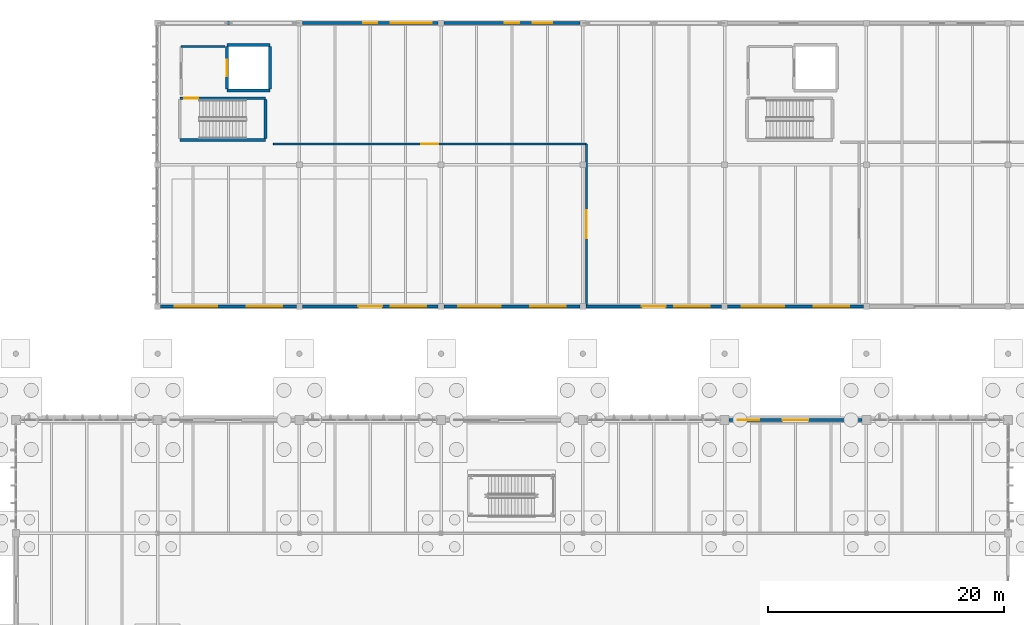
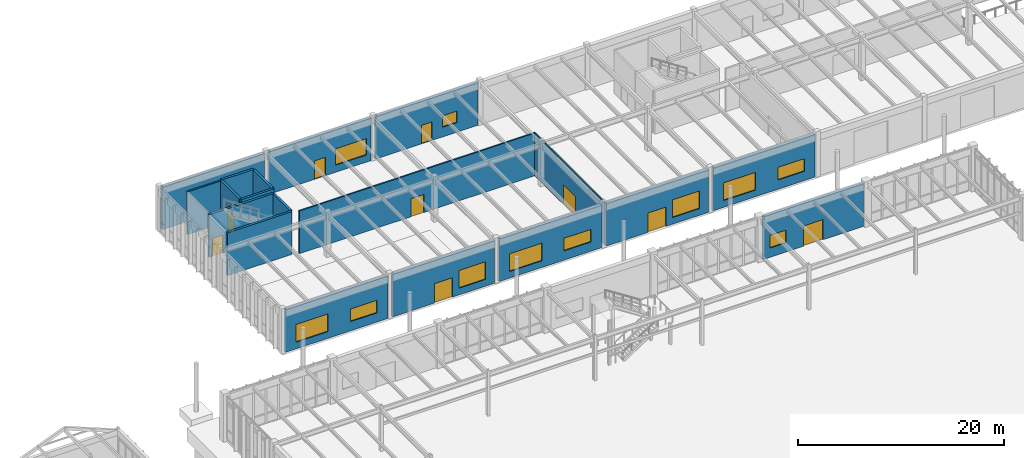
# One storey, part 165 of 188: 19 walls, 11 windows, 9 doors, 20 openings.
"""IFC4 building model written with IfcOpenShell, lengths in metres."""

import ifcopenshell
import ifcopenshell.guid

model = None  # the IFC model being written
_history = None  # IfcOwnerHistory: only IFC2X3 demands one
_inside = {}  # id of a spatial element -> (the spatial element, [elements in it])
_under = {}  # id of a project, library or spatial element -> (it, [spatial elements below it])
_declared = {}  # id of a project -> (the project, [libraries it declares])
_typed = {}  # id of a type object -> (the type object, [elements of that type])
_made_of = {}  # id of a material, layer set ... -> (it, [elements and type objects made of it])


def new_model(schema):
    """Start an empty IFC model of exactly this schema.

    Asked for "IFC4X3", IfcOpenShell would pick the latest addendum, in which some entities
    have other attributes; the version numbers below select the first issue.
    IFC2X3 requires an IfcOwnerHistory on every rooted entity: one is made here for all.
    """
    global model, _history
    if schema == "IFC4X3":
        model = ifcopenshell.file(schema_version=(4, 3, 0, 0))
    else:
        model = ifcopenshell.file(schema=schema)
    _inside.clear()
    _under.clear()
    _declared.clear()
    _typed.clear()
    _made_of.clear()
    _history = None
    if model.schema == "IFC2X3":
        org = make("IfcOrganization", Name="unknown")
        user = make(
            "IfcPersonAndOrganization",
            ThePerson=make("IfcPerson", FamilyName="unknown"),
            TheOrganization=org,
        )
        app = make(
            "IfcApplication",
            ApplicationDeveloper=org,
            Version="unknown",
            ApplicationFullName="unknown",
            ApplicationIdentifier="unknown",
        )
        _history = make(
            "IfcOwnerHistory",
            OwningUser=user,
            OwningApplication=app,
            ChangeAction="ADDED",
            CreationDate=0,
        )
    return model


def make(cls, **values):
    """One entity of the class cls with the attributes given. An attribute that is None is left unset."""
    return model.create_entity(
        cls, **{name: value for name, value in values.items() if value is not None}
    )


def rooted(cls, **values):
    """An entity with a GlobalId (a new one), such as an element, a storey or a relation."""
    return make(cls, GlobalId=ifcopenshell.guid.new(), OwnerHistory=_history, **values)


def si_unit(unit_type, name, prefix=None):
    """IfcSIUnit, for example si_unit("LENGTHUNIT", "METRE", prefix="MILLI")."""
    return make("IfcSIUnit", UnitType=unit_type, Prefix=prefix, Name=name)


def assignment(units):
    """IfcUnitAssignment: the units of a project."""
    return None if units is None else make("IfcUnitAssignment", Units=units)


def point(xyz):
    """IfcCartesianPoint."""
    return None if xyz is None else make("IfcCartesianPoint", Coordinates=xyz)


def direction(xyz):
    """IfcDirection."""
    return None if xyz is None else make("IfcDirection", DirectionRatios=xyz)


def frame(location, z_axis=None, x_axis=None):
    """IfcAxis2Placement3D, a coordinate frame: its origin and axes. An axis left out is left unset."""
    return make(
        "IfcAxis2Placement3D",
        Location=point(location),
        Axis=direction(z_axis),
        RefDirection=direction(x_axis),
    )


def frame_2d(location, x_axis=None):
    """IfcAxis2Placement2D, a coordinate frame in the plane: its origin and x axis."""
    return make(
        "IfcAxis2Placement2D", Location=point(location), RefDirection=direction(x_axis)
    )


def origin():
    """The frame at (0, 0, 0) with its axes left unset."""
    return frame((0.0, 0.0, 0.0))


def place(relative_to, where):
    """IfcLocalPlacement: puts the frame where relative to a parent placement (None: the world)."""
    return make(
        "IfcLocalPlacement", PlacementRelTo=relative_to, RelativePlacement=where
    )


def context(
    kind, dimensions, precision=None, world=None, true_north=None, identifier=None
):
    """IfcGeometricRepresentationContext, for example the 3D "Model" context."""
    return make(
        "IfcGeometricRepresentationContext",
        ContextIdentifier=identifier,
        ContextType=kind,
        CoordinateSpaceDimension=dimensions,
        Precision=precision,
        WorldCoordinateSystem=world,
        TrueNorth=true_north,
    )


def subcontext(parent, identifier, kind, view, scale=None):
    """IfcGeometricRepresentationSubContext, for example "Body" below "Model"."""
    return make(
        "IfcGeometricRepresentationSubContext",
        ContextIdentifier=identifier,
        ContextType=kind,
        ParentContext=parent,
        TargetScale=scale,
        TargetView=view,
    )


def project(units=None, contexts=None):
    """IfcProject with its units and contexts."""
    return rooted(
        "IfcProject",
        Name="project",
        RepresentationContexts=contexts,
        UnitsInContext=assignment(units),
    )


def spatial(cls, under=None, at=None, **own):
    """A site, building, storey or space (cls), placed at a placement, below another one or the project."""
    s = rooted(cls, ObjectPlacement=at, **own)
    if under is not None:
        _under.setdefault(under.id(), (under, []))[1].append(s)
    return s


def profile(cls, at=None, kind="AREA", **sizes):
    """A parametric profile (cls). Its sizes go by their IFC names, for example OverallWidth=200.0."""
    return make(cls, ProfileType=kind, Position=at, **sizes)


def rectangle(**sizes):
    """IfcRectangleProfileDef."""
    return profile("IfcRectangleProfileDef", **sizes)


def extrude(swept, where, along, depth):
    """IfcExtrudedAreaSolid: the profile swept, set in the frame where, extruded along a direction by depth."""
    return make(
        "IfcExtrudedAreaSolid",
        SweptArea=swept,
        Position=where,
        ExtrudedDirection=direction(along),
        Depth=depth,
    )


def shape(context_of_items, identifier, shape_type, items):
    """IfcShapeRepresentation: the items that make up one representation, for example the "Body"."""
    return make(
        "IfcShapeRepresentation",
        ContextOfItems=context_of_items,
        RepresentationIdentifier=identifier,
        RepresentationType=shape_type,
        Items=items,
    )


def material(Name=None, Category=None):
    """IfcMaterial."""
    return make("IfcMaterial", Name=Name, Category=Category)


def layer(
    of_material, thickness, ventilated=None, Name=None, Category=None, Priority=None
):
    """IfcMaterialLayer: one layer of a wall or slab, of a material (None: an air gap)."""
    return make(
        "IfcMaterialLayer",
        Material=of_material,
        LayerThickness=thickness,
        IsVentilated=ventilated,
        Name=Name,
        Category=Category,
        Priority=Priority,
    )


def layer_set(layers, Name=None):
    """IfcMaterialLayerSet."""
    return make("IfcMaterialLayerSet", MaterialLayers=layers, LayerSetName=Name)


def made_of(thing, what):
    """Note that an element or type object is made of a material, layer set ...; save() writes the relation."""
    if what is not None:
        _made_of.setdefault(what.id(), (what, []))[1].append(thing)
    return thing


def type_object(cls, material=None, **own):
    """A type object (cls), such as IfcWallType, which elements share."""
    return made_of(rooted(cls, **own), material)


def element(
    cls,
    number,
    at=None,
    inside=None,
    cuts=None,
    type_object=None,
    material=None,
    context=None,
    identifier="Body",
    shape_type=None,
    held_by="IfcProductDefinitionShape",
    body=None,
    shapes=None,
    **own,
):
    """One element of the class cls, such as IfcWall. Its Tag is "e" and its number.

    at: its placement. inside: the storey or other place that contains it. cuts: it is an
    opening in that element (IfcRelVoidsElement). A single representation is given by context,
    identifier, shape_type and body (its items); several are given by shapes. held_by: the class
    of the entity that holds the representations. save() writes the other relations.
    """
    e = rooted(cls, Tag="e%d" % number, ObjectPlacement=at, **own)
    if body is not None:
        shapes = [shape(context, identifier, shape_type, body)]
    if shapes is not None:
        e.Representation = make(held_by, Representations=shapes)
    if inside is not None:
        _inside.setdefault(inside.id(), (inside, []))[1].append(e)
    if cuts is not None:
        rooted(
            "IfcRelVoidsElement", RelatingBuildingElement=cuts, RelatedOpeningElement=e
        )
    if type_object is not None:
        _typed.setdefault(type_object.id(), (type_object, []))[1].append(e)
    return made_of(e, material)


def fill(opening, filler):
    """IfcRelFillsElement: the door or window that sits in an opening."""
    return rooted(
        "IfcRelFillsElement",
        RelatingOpeningElement=opening,
        RelatedBuildingElement=filler,
    )


def aggregate(whole, parts):
    """IfcRelAggregates: a whole, such as a stair, and the parts it consists of."""
    return rooted("IfcRelAggregates", RelatingObject=whole, RelatedObjects=parts)


def save(model, path):
    """Write the relations noted so far, then the file.

    IfcRelAggregates (storeys below a building ...), IfcRelContainedInSpatialStructure (elements
    in a storey), IfcRelDefinesByType, IfcRelAssociatesMaterial and IfcRelDeclares: one each for
    every whole, place, type object, material and project.
    """
    for whole, parts in _under.values():
        aggregate(whole, parts)
    for where, things in _inside.values():
        rooted(
            "IfcRelContainedInSpatialStructure",
            RelatedElements=things,
            RelatingStructure=where,
        )
    for kind, things in _typed.values():
        rooted("IfcRelDefinesByType", RelatedObjects=things, RelatingType=kind)
    for what, things in _made_of.values():
        rooted("IfcRelAssociatesMaterial", RelatedObjects=things, RelatingMaterial=what)
    for by, libraries in _declared.values():
        rooted("IfcRelDeclares", RelatingContext=by, RelatedDefinitions=libraries)
    model.write(path)


model = new_model("IFC4")

# Units and contexts
model_context = context("Model", 3, precision=1e-05, world=origin(), true_north=direction((0.0, 1.0)))
body_context = subcontext(model_context, "Body", "Model", "MODEL_VIEW")
ifc_project = project(units=[si_unit("LENGTHUNIT", "METRE"), si_unit("AREAUNIT", "SQUARE_METRE"), si_unit("VOLUMEUNIT", "CUBIC_METRE"), si_unit("PLANEANGLEUNIT", "RADIAN"), si_unit("MASSUNIT", "GRAM", prefix="KILO")], contexts=[model_context])

# Site, building, storey
site_placement = place(None, origin())
site = spatial("IfcSite", under=ifc_project, at=site_placement, CompositionType="ELEMENT")
building_placement = place(site_placement, origin())
building = spatial("IfcBuilding", under=site, at=building_placement, Name="Pandanus Reach Market Hall", CompositionType="ELEMENT")
storey_placement = place(building_placement, origin())
storey = spatial("IfcBuildingStorey", under=building, at=storey_placement, Name="L00", CompositionType="ELEMENT", Elevation=0.0)

# Wall
ifc_material_1 = material(Name="Concrete N40 (40 MPa)", Category="concrete")
ifc_layer_1 = layer(ifc_material_1, 0.25, Name="WL-CORE-250")
ifc_layer_set_1 = layer_set([ifc_layer_1], Name="Concrete N40 (40 MPa)")
wall_type_1 = type_object("IfcWallType", Name="WL-CORE-250", PredefinedType="SHEAR", material=ifc_layer_set_1)
wall_1_placement = place(storey_placement, frame((61.875, 110.074951171875, 0.0), z_axis=(0.0, 0.0, 1.0), x_axis=(1.0, 0.0, 0.0)))
element("IfcWall", 1, at=wall_1_placement, inside=storey, type_object=wall_type_1, Name="Internal wall WL-CORE-250 WL-0370", PredefinedType="SHEAR", context=body_context, shape_type="SweptSolid", body=[
    extrude(rectangle(XDim=7.27001953125, YDim=0.25, at=frame_2d((3.635009765625, 0.0))), origin(), (0.0, 0.0, 1.0), 5.080078125),
])

# Wall, opening, door
wall_2_placement = place(storey_placement, frame((61.875, 113.625, 0.0), z_axis=(0.0, 0.0, 1.0), x_axis=(1.0, 0.0, 0.0)))
wall_2 = element("IfcWall", 2, at=wall_2_placement, inside=storey, type_object=wall_type_1, Name="Internal wall WL-CORE-250 WL-0371", PredefinedType="SHEAR", context=body_context, shape_type="SweptSolid", body=[
    extrude(rectangle(XDim=7.27001953125, YDim=0.25, at=frame_2d((3.635009765625, 0.0))), origin(), (0.0, 0.0, 1.0), 5.080078125),
])
opening_1_placement = place(wall_2_placement, frame((0.39990234375, 0.0, 0.0)))
opening_1 = element("IfcOpeningElement", 3, at=opening_1_placement, cuts=wall_2, Name="Opening DR-FD1", PredefinedType="OPENING", context=body_context, shape_type="SweptSolid", body=[
    extrude(rectangle(XDim=1.14990234375, YDim=2.14990234375, at=frame_2d((0.574951171875, 1.074951171875))), frame((0.0, 0.139892578125, 0.0), z_axis=(0.0, -1.0, 0.0), x_axis=(1.0, 0.0, 0.0)), (0.0, 0.0, 1.0), 0.280029296875),
])
ifc_material_2 = material(Name="Fire-rated steel door", Category="steel")
door_type_1 = type_object("IfcDoorType", Name="DR-FD1", OperationType="NOTDEFINED", PredefinedType="DOOR", material=ifc_material_2)
door_1_placement = place(opening_1_placement, origin())
door_1 = element("IfcDoor", 4, at=door_1_placement, inside=storey, type_object=door_type_1, Name="Fire stair door ST-05 L00", OperationType="SINGLE_SWING_RIGHT", OverallHeight=2.14990234375, OverallWidth=1.14990234375, PredefinedType="DOOR", context=body_context, shape_type="SweptSolid", body=[
    extrude(rectangle(XDim=1.14990234375, YDim=2.14990234375, at=frame_2d((0.574951171875, 1.074951171875))), frame((0.0, 0.02490234375, 0.0), z_axis=(0.0, -1.0, 0.0), x_axis=(1.0, 0.0, 0.0)), (0.0, 0.0, 1.0), 0.050048828125),
])
fill(opening_1, door_1)

# Walls
wall_3_placement = place(storey_placement, frame((69.14501953125, 110.199951171875, 0.0), z_axis=(0.0, 0.0, 1.0), x_axis=(0.0, 1.0, 0.0)))
element("IfcWall", 5, at=wall_3_placement, inside=storey, type_object=wall_type_1, Name="Internal wall WL-CORE-250 WL-0373", PredefinedType="SHEAR", context=body_context, shape_type="SweptSolid", body=[
    extrude(rectangle(XDim=3.300048828125, YDim=0.25, at=frame_2d((1.64990234375, 0.0))), origin(), (0.0, 0.0, 1.0), 5.080078125),
])
for number, where, z_axis, x_axis, name in (
    (6, (65.875, 114.27490234375, 0.0), (0.0, 0.0, 1.0), (1.0, 0.0, 0.0), "Internal wall WL-CORE-250 WL-0374"),
    (7, (65.875, 118.125, 0.0), (0.0, 0.0, 1.0), (1.0, 0.0, 0.0), "Internal wall WL-CORE-250 WL-0375"),
):
    element("IfcWall", number, at=place(storey_placement, frame(where, z_axis=z_axis, x_axis=x_axis)), inside=storey, type_object=wall_type_1, Name=name, PredefinedType="SHEAR", context=body_context, shape_type="SweptSolid", body=[
        extrude(rectangle(XDim=3.64990234375, YDim=0.25, at=frame_2d((1.824951171875, 0.0))), origin(), (0.0, 0.0, 1.0), 5.080078125),
    ])
wall_4_placement = place(storey_placement, frame((69.52490234375, 114.39990234375, 0.0), z_axis=(0.0, 0.0, 1.0), x_axis=(0.0, 1.0, 0.0)))
element("IfcWall", 8, at=wall_4_placement, inside=storey, type_object=wall_type_1, Name="Internal wall WL-CORE-250 WL-0376", PredefinedType="SHEAR", context=body_context, shape_type="SweptSolid", body=[
    extrude(rectangle(XDim=3.60009765625, YDim=0.25, at=frame_2d((1.800048828125, 0.0))), origin(), (0.0, 0.0, 1.0), 5.080078125),
])

# Wall, opening, door
wall_5_placement = place(storey_placement, frame((65.875, 114.39990234375, 0.0), z_axis=(0.0, 0.0, 1.0), x_axis=(0.0, 1.0, 0.0)))
wall_5 = element("IfcWall", 9, at=wall_5_placement, inside=storey, type_object=wall_type_1, Name="Internal wall WL-CORE-250 WL-0377", PredefinedType="SHEAR", context=body_context, shape_type="SweptSolid", body=[
    extrude(rectangle(XDim=3.60009765625, YDim=0.25, at=frame_2d((1.800048828125, 0.0))), origin(), (0.0, 0.0, 1.0), 5.080078125),
])
opening_2_placement = place(wall_5_placement, frame((1.10009765625, 0.0, 0.0)))
opening_2 = element("IfcOpeningElement", 10, at=opening_2_placement, cuts=wall_5, Name="Opening LD-02", PredefinedType="OPENING", context=body_context, shape_type="SweptSolid", body=[
    extrude(rectangle(XDim=1.39990234375, YDim=2.199951171875, at=frame_2d((0.699951171875, 1.10009765625))), frame((0.0, 0.139892578125, 0.0), z_axis=(0.0, -1.0, 0.0), x_axis=(1.0, 0.0, 0.0)), (0.0, 0.0, 1.0), 0.280029296875),
])
ifc_material_3 = material(Name="Heavy goods lift landing door")
door_type_2 = type_object("IfcDoorType", Name="LD-02", OperationType="SLIDING_TO_RIGHT", PredefinedType="DOOR", material=ifc_material_3)
door_2_placement = place(opening_2_placement, origin())
door_2 = element("IfcDoor", 11, at=door_2_placement, inside=storey, type_object=door_type_2, Name="Lift landing door LF-05 LD-02 69", OperationType="SLIDING_TO_RIGHT", OverallHeight=2.199951171875, OverallWidth=1.39990234375, PredefinedType="DOOR", context=body_context, shape_type="SweptSolid", body=[
    extrude(rectangle(XDim=1.39990234375, YDim=2.199951171875, at=frame_2d((0.699951171875, 1.10009765625))), frame((0.0, 0.02490234375, 0.0), z_axis=(0.0, -1.0, 0.0), x_axis=(1.0, 0.0, 0.0)), (0.0, 0.0, 1.0), 0.050048828125),
])
fill(opening_2, door_2)

# Wall, openings, door, window
ifc_material_4 = material(Name="Precast concrete S50 (50 MPa)", Category="concrete")
ifc_layer_2 = layer(ifc_material_4, 0.260009765625, Name="WL-EXT-260")
ifc_layer_set_2 = layer_set([ifc_layer_2], Name="Precast concrete S50 (50 MPa)")
wall_type_2 = type_object("IfcWallType", Name="WL-EXT-260", PredefinedType="SOLIDWALL", material=ifc_layer_set_2)
wall_6_placement = place(storey_placement, frame((108.375, 86.39990234375, 0.0), z_axis=(0.0, 0.0, 1.0), x_axis=(1.0, 0.0, 0.0)))
wall_6 = element("IfcWall", 12, at=wall_6_placement, inside=storey, type_object=wall_type_2, Name="External wall WL-EXT-260 WL-0054", PredefinedType="SOLIDWALL", context=body_context, shape_type="SweptSolid", body=[
    extrude(rectangle(XDim=11.25, YDim=0.260009765625, at=frame_2d((5.625, 0.0))), origin(), (0.0, 0.0, 1.0), 5.10009765625),
])
opening_3_placement = place(wall_6_placement, frame((4.52490234375, 0.0, 0.0)))
opening_3 = element("IfcOpeningElement", 13, at=opening_3_placement, cuts=wall_6, Name="Opening ED-220", PredefinedType="OPENING", context=body_context, shape_type="SweptSolid", body=[
    extrude(rectangle(XDim=2.199951171875, YDim=2.39990234375, at=frame_2d((1.10009765625, 1.199951171875))), frame((0.0, 0.14501953125, 0.0), z_axis=(0.0, -1.0, 0.0), x_axis=(1.0, 0.0, 0.0)), (0.0, 0.0, 1.0), 0.2900390625),
])
opening_4_placement = place(wall_6_placement, frame((0.75, 0.0, 1.10009765625)))
opening_4 = element("IfcOpeningElement", 14, at=opening_4_placement, cuts=wall_6, Name="Opening WN-16", PredefinedType="OPENING", context=body_context, shape_type="SweptSolid", body=[
    extrude(rectangle(XDim=1.800048828125, YDim=1.5, at=frame_2d((0.89990234375, 0.75))), frame((0.0, 0.14501953125, 0.0), z_axis=(0.0, -1.0, 0.0), x_axis=(1.0, 0.0, 0.0)), (0.0, 0.0, 1.0), 0.2900390625),
])
ifc_material_5 = material(Name="Bronze anodised aluminium", Category="aluminium")
door_type_3 = type_object("IfcDoorType", Name="ED-220", OperationType="DOUBLE_DOOR_SINGLE_SWING", PredefinedType="DOOR", material=ifc_material_5)
door_3_placement = place(opening_3_placement, origin())
door_3 = element("IfcDoor", 15, at=door_3_placement, inside=storey, type_object=door_type_3, Name="North market passage exit ED-220 8", OperationType="DOUBLE_DOOR_SINGLE_SWING", OverallHeight=2.39990234375, OverallWidth=2.199951171875, PredefinedType="DOOR", context=body_context, shape_type="SweptSolid", body=[
    extrude(rectangle(XDim=2.199951171875, YDim=2.39990234375, at=frame_2d((1.10009765625, 1.199951171875))), frame((0.0, 0.02490234375, 0.0), z_axis=(0.0, -1.0, 0.0), x_axis=(1.0, 0.0, 0.0)), (0.0, 0.0, 1.0), 0.050048828125),
])
fill(opening_3, door_3)
ifc_material_6 = material(Name="Solar-control double glazing", Category="glass")
window_type_1 = type_object("IfcWindowType", Name="WN-16", PartitioningType="SINGLE_PANEL", PredefinedType="WINDOW", material=ifc_material_6)
window_1_placement = place(opening_4_placement, origin())
window_1 = element("IfcWindow", 16, at=window_1_placement, inside=storey, type_object=window_type_1, Name="Window WN-16 18", OverallHeight=1.5, OverallWidth=1.800048828125, PartitioningType="SINGLE_PANEL", PredefinedType="WINDOW", context=body_context, shape_type="SweptSolid", body=[
    extrude(rectangle(XDim=1.800048828125, YDim=1.5, at=frame_2d((0.89990234375, 0.75))), frame((0.0, 0.030029296875, 0.0), z_axis=(0.0, -1.0, 0.0), x_axis=(1.0, 0.0, 0.0)), (0.0, 0.0, 1.0), 0.06005859375),
])
fill(opening_4, window_1)

# Wall, openings, windows
wall_7_placement = place(storey_placement, frame((60.25, 96.0, 0.0), z_axis=(0.0, 0.0, 1.0), x_axis=(1.0, 0.0, 0.0)))
wall_7 = element("IfcWall", 17, at=wall_7_placement, inside=storey, type_object=wall_type_2, Name="External wall WL-EXT-260 WL-0118", PredefinedType="SOLIDWALL", context=body_context, shape_type="SweptSolid", body=[
    extrude(rectangle(XDim=11.5, YDim=0.260009765625, at=frame_2d((5.75, 0.0))), origin(), (0.0, 0.0, 1.0), 5.080078125),
])
opening_5_placement = place(wall_7_placement, frame((1.199951171875, 0.0, 0.800048828125)))
opening_5 = element("IfcOpeningElement", 18, at=opening_5_placement, cuts=wall_7, Name="Opening WN-14", PredefinedType="OPENING", context=body_context, shape_type="SweptSolid", body=[
    extrude(rectangle(XDim=3.60009765625, YDim=2.10009765625, at=frame_2d((1.800048828125, 1.050048828125))), frame((0.0, 0.14501953125, 0.0), z_axis=(0.0, -1.0, 0.0), x_axis=(1.0, 0.0, 0.0)), (0.0, 0.0, 1.0), 0.2900390625),
])
opening_6_placement = place(wall_7_placement, frame((7.300048828125, 0.0, 1.10009765625)))
opening_6 = element("IfcOpeningElement", 19, at=opening_6_placement, cuts=wall_7, Name="Opening WN-18", PredefinedType="OPENING", context=body_context, shape_type="SweptSolid", body=[
    extrude(rectangle(XDim=3.0, YDim=1.5, at=frame_2d((1.5, 0.75))), frame((0.0, 0.14501953125, 0.0), z_axis=(0.0, -1.0, 0.0), x_axis=(1.0, 0.0, 0.0)), (0.0, 0.0, 1.0), 0.2900390625),
])
window_type_2 = type_object("IfcWindowType", Name="WN-14", PartitioningType="SINGLE_PANEL", PredefinedType="WINDOW", material=ifc_material_6)
window_2_placement = place(opening_5_placement, origin())
window_2 = element("IfcWindow", 20, at=window_2_placement, inside=storey, type_object=window_type_2, Name="Window WN-14 58", OverallHeight=2.10009765625, OverallWidth=3.60009765625, PartitioningType="SINGLE_PANEL", PredefinedType="WINDOW", context=body_context, shape_type="SweptSolid", body=[
    extrude(rectangle(XDim=3.60009765625, YDim=2.10009765625, at=frame_2d((1.800048828125, 1.050048828125))), frame((0.0, 0.030029296875, 0.0), z_axis=(0.0, -1.0, 0.0), x_axis=(1.0, 0.0, 0.0)), (0.0, 0.0, 1.0), 0.06005859375),
])
fill(opening_5, window_2)
window_type_3 = type_object("IfcWindowType", Name="WN-18", PartitioningType="SINGLE_PANEL", PredefinedType="WINDOW", material=ifc_material_6)
window_3_placement = place(opening_6_placement, origin())
window_3 = element("IfcWindow", 21, at=window_3_placement, inside=storey, type_object=window_type_3, Name="Window WN-18 59", OverallHeight=1.5, OverallWidth=3.0, PartitioningType="SINGLE_PANEL", PredefinedType="WINDOW", context=body_context, shape_type="SweptSolid", body=[
    extrude(rectangle(XDim=3.0, YDim=1.5, at=frame_2d((1.5, 0.75))), frame((0.0, 0.030029296875, 0.0), z_axis=(0.0, -1.0, 0.0), x_axis=(1.0, 0.0, 0.0)), (0.0, 0.0, 1.0), 0.06005859375),
])
fill(opening_6, window_3)

# Wall, openings, door, window
wall_8_placement = place(storey_placement, frame((72.25, 96.0, 0.0), z_axis=(0.0, 0.0, 1.0), x_axis=(1.0, 0.0, 0.0)))
wall_8 = element("IfcWall", 22, at=wall_8_placement, inside=storey, type_object=wall_type_2, Name="External wall WL-EXT-260 WL-0121", PredefinedType="SOLIDWALL", context=body_context, shape_type="SweptSolid", body=[
    extrude(rectangle(XDim=11.5, YDim=0.260009765625, at=frame_2d((5.75, 0.0))), origin(), (0.0, 0.0, 1.0), 5.080078125),
])
opening_7_placement = place(wall_8_placement, frame((4.75, 0.0, 0.0)))
opening_7 = element("IfcOpeningElement", 23, at=opening_7_placement, cuts=wall_8, Name="Opening ED-200", PredefinedType="OPENING", context=body_context, shape_type="SweptSolid", body=[
    extrude(rectangle(XDim=2.0, YDim=2.300048828125, at=frame_2d((1.0, 1.14990234375))), frame((0.0, 0.14501953125, 0.0), z_axis=(0.0, -1.0, 0.0), x_axis=(1.0, 0.0, 0.0)), (0.0, 0.0, 1.0), 0.2900390625),
])
opening_8_placement = place(wall_8_placement, frame((7.5, 0.0, 0.800048828125)))
opening_8 = element("IfcOpeningElement", 24, at=opening_8_placement, cuts=wall_8, Name="Opening WN-13", PredefinedType="OPENING", context=body_context, shape_type="SweptSolid", body=[
    extrude(rectangle(XDim=3.0, YDim=2.10009765625, at=frame_2d((1.5, 1.050048828125))), frame((0.0, 0.14501953125, 0.0), z_axis=(0.0, -1.0, 0.0), x_axis=(1.0, 0.0, 0.0)), (0.0, 0.0, 1.0), 0.2900390625),
])
door_type_4 = type_object("IfcDoorType", Name="ED-200", OperationType="DOUBLE_DOOR_SINGLE_SWING", PredefinedType="DOOR", material=ifc_material_5)
door_4_placement = place(opening_7_placement, frame((2.0, 0.0, 0.0), z_axis=(0.0, 0.0, 1.0), x_axis=(-1.0, 0.0, 0.0)))
door_4 = element("IfcDoor", 25, at=door_4_placement, inside=storey, type_object=door_type_4, Name="Wet market public entrance ED-200 40", OperationType="DOUBLE_DOOR_SINGLE_SWING", OverallHeight=2.300048828125, OverallWidth=2.0, PredefinedType="DOOR", context=body_context, shape_type="SweptSolid", body=[
    extrude(rectangle(XDim=2.0, YDim=2.300048828125, at=frame_2d((1.0, 1.14990234375))), frame((0.0, 0.02490234375, 0.0), z_axis=(0.0, -1.0, 0.0), x_axis=(1.0, 0.0, 0.0)), (0.0, 0.0, 1.0), 0.050048828125),
])
fill(opening_7, door_4)
window_type_4 = type_object("IfcWindowType", Name="WN-13", PartitioningType="SINGLE_PANEL", PredefinedType="WINDOW", material=ifc_material_6)
window_4_placement = place(opening_8_placement, origin())
window_4 = element("IfcWindow", 26, at=window_4_placement, inside=storey, type_object=window_type_4, Name="Window WN-13 60", OverallHeight=2.10009765625, OverallWidth=3.0, PartitioningType="SINGLE_PANEL", PredefinedType="WINDOW", context=body_context, shape_type="SweptSolid", body=[
    extrude(rectangle(XDim=3.0, YDim=2.10009765625, at=frame_2d((1.5, 1.050048828125))), frame((0.0, 0.030029296875, 0.0), z_axis=(0.0, -1.0, 0.0), x_axis=(1.0, 0.0, 0.0)), (0.0, 0.0, 1.0), 0.06005859375),
])
fill(opening_8, window_4)

wall_9_placement = place(storey_placement, frame((72.25, 120.0, 0.0), z_axis=(0.0, 0.0, 1.0), x_axis=(1.0, 0.0, 0.0)))
wall_9 = element("IfcWall", 27, at=wall_9_placement, inside=storey, type_object=wall_type_2, Name="External wall WL-EXT-260 WL-0122", PredefinedType="SOLIDWALL", context=body_context, shape_type="SweptSolid", body=[
    extrude(rectangle(XDim=11.5, YDim=0.260009765625, at=frame_2d((5.75, 0.0))), origin(), (0.0, 0.0, 1.0), 5.080078125),
])
opening_9_placement = place(wall_9_placement, frame((5.14990234375, 0.0, 0.0)))
opening_9 = element("IfcOpeningElement", 28, at=opening_9_placement, cuts=wall_9, Name="Opening ED-120", PredefinedType="OPENING", context=body_context, shape_type="SweptSolid", body=[
    extrude(rectangle(XDim=1.199951171875, YDim=2.199951171875, at=frame_2d((0.60009765625, 1.10009765625))), frame((0.0, 0.14501953125, 0.0), z_axis=(0.0, -1.0, 0.0), x_axis=(1.0, 0.0, 0.0)), (0.0, 0.0, 1.0), 0.2900390625),
])
opening_10_placement = place(wall_9_placement, frame((7.5, 0.0, 0.85009765625)))
opening_10 = element("IfcOpeningElement", 29, at=opening_10_placement, cuts=wall_9, Name="Opening WN-35", PredefinedType="OPENING", context=body_context, shape_type="SweptSolid", body=[
    extrude(rectangle(XDim=3.449951171875, YDim=1.949951171875, at=frame_2d((1.72509765625, 0.97509765625))), frame((0.0, 0.14501953125, 0.0), z_axis=(0.0, -1.0, 0.0), x_axis=(1.0, 0.0, 0.0)), (0.0, 0.0, 1.0), 0.2900390625),
])
ifc_material_7 = material(Name="Galvanised steel Grade 350 (350 MPa)", Category="steel")
door_type_5 = type_object("IfcDoorType", Name="ED-120", OperationType="NOTDEFINED", PredefinedType="DOOR", material=ifc_material_7)
door_5_placement = place(opening_9_placement, origin())
door_5 = element("IfcDoor", 30, at=door_5_placement, inside=storey, type_object=door_type_5, Name="Cold-chain personnel exit door ED-120 41", OperationType="SINGLE_SWING_RIGHT", OverallHeight=2.199951171875, OverallWidth=1.199951171875, PredefinedType="DOOR", context=body_context, shape_type="SweptSolid", body=[
    extrude(rectangle(XDim=1.199951171875, YDim=2.199951171875, at=frame_2d((0.60009765625, 1.10009765625))), frame((0.0, 0.02490234375, 0.0), z_axis=(0.0, -1.0, 0.0), x_axis=(1.0, 0.0, 0.0)), (0.0, 0.0, 1.0), 0.050048828125),
])
fill(opening_9, door_5)
window_type_5 = type_object("IfcWindowType", Name="WN-35", PartitioningType="SINGLE_PANEL", PredefinedType="WINDOW", material=ifc_material_6)
window_5_placement = place(opening_10_placement, origin())
window_5 = element("IfcWindow", 31, at=window_5_placement, inside=storey, type_object=window_type_5, Name="Window WN-35 61", OverallHeight=1.949951171875, OverallWidth=3.449951171875, PartitioningType="SINGLE_PANEL", PredefinedType="WINDOW", context=body_context, shape_type="SweptSolid", body=[
    extrude(rectangle(XDim=3.449951171875, YDim=1.949951171875, at=frame_2d((1.72509765625, 0.97509765625))), frame((0.0, 0.030029296875, 0.0), z_axis=(0.0, -1.0, 0.0), x_axis=(1.0, 0.0, 0.0)), (0.0, 0.0, 1.0), 0.06005859375),
])
fill(opening_10, window_5)

# Wall, openings, windows
wall_10_placement = place(storey_placement, frame((84.25, 96.0, 0.0), z_axis=(0.0, 0.0, 1.0), x_axis=(1.0, 0.0, 0.0)))
wall_10 = element("IfcWall", 32, at=wall_10_placement, inside=storey, type_object=wall_type_2, Name="External wall WL-EXT-260 WL-0123", PredefinedType="SOLIDWALL", context=body_context, shape_type="SweptSolid", body=[
    extrude(rectangle(XDim=11.5, YDim=0.260009765625, at=frame_2d((5.75, 0.0))), origin(), (0.0, 0.0, 1.0), 5.080078125),
])
opening_11_placement = place(wall_10_placement, frame((1.199951171875, 0.0, 0.800048828125)))
opening_11 = element("IfcOpeningElement", 33, at=opening_11_placement, cuts=wall_10, Name="Opening WN-14", PredefinedType="OPENING", context=body_context, shape_type="SweptSolid", body=[
    extrude(rectangle(XDim=3.60009765625, YDim=2.10009765625, at=frame_2d((1.800048828125, 1.050048828125))), frame((0.0, 0.14501953125, 0.0), z_axis=(0.0, -1.0, 0.0), x_axis=(1.0, 0.0, 0.0)), (0.0, 0.0, 1.0), 0.2900390625),
])
opening_12_placement = place(wall_10_placement, frame((7.300048828125, 0.0, 1.10009765625)))
opening_12 = element("IfcOpeningElement", 34, at=opening_12_placement, cuts=wall_10, Name="Opening WN-18", PredefinedType="OPENING", context=body_context, shape_type="SweptSolid", body=[
    extrude(rectangle(XDim=3.0, YDim=1.5, at=frame_2d((1.5, 0.75))), frame((0.0, 0.14501953125, 0.0), z_axis=(0.0, -1.0, 0.0), x_axis=(1.0, 0.0, 0.0)), (0.0, 0.0, 1.0), 0.2900390625),
])
window_6_placement = place(opening_11_placement, origin())
window_6 = element("IfcWindow", 35, at=window_6_placement, inside=storey, type_object=window_type_2, Name="Window WN-14 62", OverallHeight=2.10009765625, OverallWidth=3.60009765625, PartitioningType="SINGLE_PANEL", PredefinedType="WINDOW", context=body_context, shape_type="SweptSolid", body=[
    extrude(rectangle(XDim=3.60009765625, YDim=2.10009765625, at=frame_2d((1.800048828125, 1.050048828125))), frame((0.0, 0.030029296875, 0.0), z_axis=(0.0, -1.0, 0.0), x_axis=(1.0, 0.0, 0.0)), (0.0, 0.0, 1.0), 0.06005859375),
])
fill(opening_11, window_6)
window_7_placement = place(opening_12_placement, origin())
window_7 = element("IfcWindow", 36, at=window_7_placement, inside=storey, type_object=window_type_3, Name="Window WN-18 63", OverallHeight=1.5, OverallWidth=3.0, PartitioningType="SINGLE_PANEL", PredefinedType="WINDOW", context=body_context, shape_type="SweptSolid", body=[
    extrude(rectangle(XDim=3.0, YDim=1.5, at=frame_2d((1.5, 0.75))), frame((0.0, 0.030029296875, 0.0), z_axis=(0.0, -1.0, 0.0), x_axis=(1.0, 0.0, 0.0)), (0.0, 0.0, 1.0), 0.06005859375),
])
fill(opening_12, window_7)

# Wall, openings, door, window
wall_11_placement = place(storey_placement, frame((84.25, 120.0, 0.0), z_axis=(0.0, 0.0, 1.0), x_axis=(1.0, 0.0, 0.0)))
wall_11 = element("IfcWall", 37, at=wall_11_placement, inside=storey, type_object=wall_type_2, Name="External wall WL-EXT-260 WL-0124", PredefinedType="SOLIDWALL", context=body_context, shape_type="SweptSolid", body=[
    extrude(rectangle(XDim=11.5, YDim=0.260009765625, at=frame_2d((5.75, 0.0))), origin(), (0.0, 0.0, 1.0), 5.080078125),
])
opening_13_placement = place(wall_11_placement, frame((5.14990234375, 0.0, 0.0)))
opening_13 = element("IfcOpeningElement", 38, at=opening_13_placement, cuts=wall_11, Name="Opening ED-120", PredefinedType="OPENING", context=body_context, shape_type="SweptSolid", body=[
    extrude(rectangle(XDim=1.199951171875, YDim=2.199951171875, at=frame_2d((0.60009765625, 1.10009765625))), frame((0.0, 0.14501953125, 0.0), z_axis=(0.0, -1.0, 0.0), x_axis=(1.0, 0.0, 0.0)), (0.0, 0.0, 1.0), 0.2900390625),
])
opening_14_placement = place(wall_11_placement, frame((7.5, 0.0, 1.14990234375)))
opening_14 = element("IfcOpeningElement", 39, at=opening_14_placement, cuts=wall_11, Name="Opening WN-36", PredefinedType="OPENING", context=body_context, shape_type="SweptSolid", body=[
    extrude(rectangle(XDim=1.64990234375, YDim=1.35009765625, at=frame_2d((0.824951171875, 0.675048828125))), frame((0.0, 0.14501953125, 0.0), z_axis=(0.0, -1.0, 0.0), x_axis=(1.0, 0.0, 0.0)), (0.0, 0.0, 1.0), 0.2900390625),
])
door_6_placement = place(opening_13_placement, origin())
door_6 = element("IfcDoor", 40, at=door_6_placement, inside=storey, type_object=door_type_5, Name="Cold-chain personnel exit door ED-120 42", OperationType="SINGLE_SWING_LEFT", OverallHeight=2.199951171875, OverallWidth=1.199951171875, PredefinedType="DOOR", context=body_context, shape_type="SweptSolid", body=[
    extrude(rectangle(XDim=1.199951171875, YDim=2.199951171875, at=frame_2d((0.60009765625, 1.10009765625))), frame((0.0, 0.02490234375, 0.0), z_axis=(0.0, -1.0, 0.0), x_axis=(1.0, 0.0, 0.0)), (0.0, 0.0, 1.0), 0.050048828125),
])
fill(opening_13, door_6)
window_type_6 = type_object("IfcWindowType", Name="WN-36", PartitioningType="SINGLE_PANEL", PredefinedType="WINDOW", material=ifc_material_6)
window_8_placement = place(opening_14_placement, origin())
window_8 = element("IfcWindow", 41, at=window_8_placement, inside=storey, type_object=window_type_6, Name="Window WN-36 64", OverallHeight=1.35009765625, OverallWidth=1.64990234375, PartitioningType="SINGLE_PANEL", PredefinedType="WINDOW", context=body_context, shape_type="SweptSolid", body=[
    extrude(rectangle(XDim=1.64990234375, YDim=1.35009765625, at=frame_2d((0.824951171875, 0.675048828125))), frame((0.0, 0.030029296875, 0.0), z_axis=(0.0, -1.0, 0.0), x_axis=(1.0, 0.0, 0.0)), (0.0, 0.0, 1.0), 0.06005859375),
])
fill(opening_14, window_8)

wall_12_placement = place(storey_placement, frame((96.25, 96.0, 0.0), z_axis=(0.0, 0.0, 1.0), x_axis=(1.0, 0.0, 0.0)))
wall_12 = element("IfcWall", 42, at=wall_12_placement, inside=storey, type_object=wall_type_2, Name="External wall WL-EXT-260 WL-0125", PredefinedType="SOLIDWALL", context=body_context, shape_type="SweptSolid", body=[
    extrude(rectangle(XDim=11.5, YDim=0.260009765625, at=frame_2d((5.75, 0.0))), origin(), (0.0, 0.0, 1.0), 5.080078125),
])
opening_15_placement = place(wall_12_placement, frame((4.75, 0.0, 0.0)))
opening_15 = element("IfcOpeningElement", 43, at=opening_15_placement, cuts=wall_12, Name="Opening ED-200", PredefinedType="OPENING", context=body_context, shape_type="SweptSolid", body=[
    extrude(rectangle(XDim=2.0, YDim=2.300048828125, at=frame_2d((1.0, 1.14990234375))), frame((0.0, 0.14501953125, 0.0), z_axis=(0.0, -1.0, 0.0), x_axis=(1.0, 0.0, 0.0)), (0.0, 0.0, 1.0), 0.2900390625),
])
opening_16_placement = place(wall_12_placement, frame((7.5, 0.0, 0.800048828125)))
opening_16 = element("IfcOpeningElement", 44, at=opening_16_placement, cuts=wall_12, Name="Opening WN-13", PredefinedType="OPENING", context=body_context, shape_type="SweptSolid", body=[
    extrude(rectangle(XDim=3.0, YDim=2.10009765625, at=frame_2d((1.5, 1.050048828125))), frame((0.0, 0.14501953125, 0.0), z_axis=(0.0, -1.0, 0.0), x_axis=(1.0, 0.0, 0.0)), (0.0, 0.0, 1.0), 0.2900390625),
])
door_7_placement = place(opening_15_placement, frame((2.0, 0.0, 0.0), z_axis=(0.0, 0.0, 1.0), x_axis=(-1.0, 0.0, 0.0)))
door_7 = element("IfcDoor", 45, at=door_7_placement, inside=storey, type_object=door_type_4, Name="Wet market public entrance ED-200 43", OperationType="DOUBLE_DOOR_SINGLE_SWING", OverallHeight=2.300048828125, OverallWidth=2.0, PredefinedType="DOOR", context=body_context, shape_type="SweptSolid", body=[
    extrude(rectangle(XDim=2.0, YDim=2.300048828125, at=frame_2d((1.0, 1.14990234375))), frame((0.0, 0.02490234375, 0.0), z_axis=(0.0, -1.0, 0.0), x_axis=(1.0, 0.0, 0.0)), (0.0, 0.0, 1.0), 0.050048828125),
])
fill(opening_15, door_7)
window_9_placement = place(opening_16_placement, origin())
window_9 = element("IfcWindow", 46, at=window_9_placement, inside=storey, type_object=window_type_4, Name="Window WN-13 65", OverallHeight=2.10009765625, OverallWidth=3.0, PartitioningType="SINGLE_PANEL", PredefinedType="WINDOW", context=body_context, shape_type="SweptSolid", body=[
    extrude(rectangle(XDim=3.0, YDim=2.10009765625, at=frame_2d((1.5, 1.050048828125))), frame((0.0, 0.030029296875, 0.0), z_axis=(0.0, -1.0, 0.0), x_axis=(1.0, 0.0, 0.0)), (0.0, 0.0, 1.0), 0.06005859375),
])
fill(opening_16, window_9)

# Wall, openings, windows
wall_13_placement = place(storey_placement, frame((108.25, 96.0, 0.0), z_axis=(0.0, 0.0, 1.0), x_axis=(1.0, 0.0, 0.0)))
wall_13 = element("IfcWall", 47, at=wall_13_placement, inside=storey, type_object=wall_type_2, Name="External wall WL-EXT-260 WL-0128", PredefinedType="SOLIDWALL", context=body_context, shape_type="SweptSolid", body=[
    extrude(rectangle(XDim=11.5, YDim=0.260009765625, at=frame_2d((5.75, 0.0))), origin(), (0.0, 0.0, 1.0), 5.080078125),
])
opening_17_placement = place(wall_13_placement, frame((1.199951171875, 0.0, 0.800048828125)))
opening_17 = element("IfcOpeningElement", 48, at=opening_17_placement, cuts=wall_13, Name="Opening WN-14", PredefinedType="OPENING", context=body_context, shape_type="SweptSolid", body=[
    extrude(rectangle(XDim=3.60009765625, YDim=2.10009765625, at=frame_2d((1.800048828125, 1.050048828125))), frame((0.0, 0.14501953125, 0.0), z_axis=(0.0, -1.0, 0.0), x_axis=(1.0, 0.0, 0.0)), (0.0, 0.0, 1.0), 0.2900390625),
])
opening_18_placement = place(wall_13_placement, frame((7.300048828125, 0.0, 1.10009765625)))
opening_18 = element("IfcOpeningElement", 49, at=opening_18_placement, cuts=wall_13, Name="Opening WN-18", PredefinedType="OPENING", context=body_context, shape_type="SweptSolid", body=[
    extrude(rectangle(XDim=3.0, YDim=1.5, at=frame_2d((1.5, 0.75))), frame((0.0, 0.14501953125, 0.0), z_axis=(0.0, -1.0, 0.0), x_axis=(1.0, 0.0, 0.0)), (0.0, 0.0, 1.0), 0.2900390625),
])
window_10_placement = place(opening_17_placement, origin())
window_10 = element("IfcWindow", 50, at=window_10_placement, inside=storey, type_object=window_type_2, Name="Window WN-14 66", OverallHeight=2.10009765625, OverallWidth=3.60009765625, PartitioningType="SINGLE_PANEL", PredefinedType="WINDOW", context=body_context, shape_type="SweptSolid", body=[
    extrude(rectangle(XDim=3.60009765625, YDim=2.10009765625, at=frame_2d((1.800048828125, 1.050048828125))), frame((0.0, 0.030029296875, 0.0), z_axis=(0.0, -1.0, 0.0), x_axis=(1.0, 0.0, 0.0)), (0.0, 0.0, 1.0), 0.06005859375),
])
fill(opening_17, window_10)
window_11_placement = place(opening_18_placement, origin())
window_11 = element("IfcWindow", 51, at=window_11_placement, inside=storey, type_object=window_type_3, Name="Window WN-18 67", OverallHeight=1.5, OverallWidth=3.0, PartitioningType="SINGLE_PANEL", PredefinedType="WINDOW", context=body_context, shape_type="SweptSolid", body=[
    extrude(rectangle(XDim=3.0, YDim=1.5, at=frame_2d((1.5, 0.75))), frame((0.0, 0.030029296875, 0.0), z_axis=(0.0, -1.0, 0.0), x_axis=(1.0, 0.0, 0.0)), (0.0, 0.0, 1.0), 0.06005859375),
])
fill(opening_18, window_11)

# Walls
ifc_layer_3 = layer(ifc_material_4, 0.280029296875, Name="WL-EXT-280")
ifc_layer_set_3 = layer_set([ifc_layer_3], Name="Precast concrete S50 (50 MPa)")
wall_type_3 = type_object("IfcWallType", Name="WL-EXT-280", PredefinedType="SOLIDWALL", material=ifc_layer_set_3)
wall_14_placement = place(storey_placement, frame((60.25, 120.0, 0.0), z_axis=(0.0, 0.0, 1.0), x_axis=(1.0, 0.0, 0.0)))
element("IfcWall", 52, at=wall_14_placement, inside=storey, type_object=wall_type_3, Name="External wall WL-EXT-280 WL-0119", PredefinedType="SOLIDWALL", context=body_context, shape_type="SweptSolid", body=[
    extrude(rectangle(XDim=11.5, YDim=0.280029296875, at=frame_2d((5.75, 0.0))), origin(), (0.0, 0.0, 1.0), 5.080078125),
])
ifc_layer_4 = layer(ifc_material_1, 0.175048828125, Name="WL-LOB-175")
ifc_layer_set_4 = layer_set([ifc_layer_4], Name="Concrete N40 (40 MPa)")
wall_type_4 = type_object("IfcWallType", Name="WL-LOB-175", PredefinedType="PARTITIONING", material=ifc_layer_set_4)
wall_15_placement = place(storey_placement, frame((62.0, 118.0, 0.0), z_axis=(0.0, 0.0, 1.0), x_axis=(1.0, 0.0, 0.0)))
element("IfcWall", 53, at=wall_15_placement, inside=storey, type_object=wall_type_4, Name="Internal wall WL-LOB-175 WL-0379", PredefinedType="PARTITIONING", context=body_context, shape_type="SweptSolid", body=[
    extrude(rectangle(XDim=3.699951171875, YDim=0.175048828125, at=frame_2d((1.85009765625, 0.0))), origin(), (0.0, 0.0, 1.0), 5.080078125),
])

# Wall, opening, door
ifc_material_8 = material(Name="Acoustic plasterboard on steel framing", Category="steel")
ifc_layer_5 = layer(ifc_material_8, 0.14990234375, Name="WL-PRT-150")
ifc_layer_set_5 = layer_set([ifc_layer_5], Name="Acoustic plasterboard on steel framing")
wall_type_5 = type_object("IfcWallType", Name="WL-PRT-150", PredefinedType="PARTITIONING", material=ifc_layer_set_5)
wall_16_placement = place(storey_placement, frame((96.300048828125, 96.14990234375, 0.0), z_axis=(0.0, 0.0, 1.0), x_axis=(0.0, 1.0, 0.0)))
wall_16 = element("IfcWall", 54, at=wall_16_placement, inside=storey, type_object=wall_type_5, Name="Internal wall WL-PRT-150 WL-0507", PredefinedType="PARTITIONING", context=body_context, shape_type="SweptSolid", body=[
    extrude(rectangle(XDim=13.60009765625, YDim=0.14990234375, at=frame_2d((6.800048828125, 0.0))), origin(), (0.0, 0.0, 1.0), 5.080078125),
])
opening_19_placement = place(wall_16_placement, frame((5.625, 0.0, 0.0)))
opening_19 = element("IfcOpeningElement", 55, at=opening_19_placement, cuts=wall_16, Name="Opening DR-I23", PredefinedType="OPENING", context=body_context, shape_type="SweptSolid", body=[
    extrude(rectangle(XDim=2.35009765625, YDim=2.35009765625, at=frame_2d((1.175048828125, 1.175048828125))), frame((0.0, 0.08984375, 0.0), z_axis=(0.0, -1.0, 0.0), x_axis=(1.0, 0.0, 0.0)), (0.0, 0.0, 1.0), 0.179931640625),
])
ifc_material_9 = material(Name="Wet market trolley arch double door")
door_type_6 = type_object("IfcDoorType", Name="DR-I23", OperationType="DOUBLE_DOOR_SINGLE_SWING", PredefinedType="DOOR", material=ifc_material_9)
door_8_placement = place(opening_19_placement, origin())
door_8 = element("IfcDoor", 56, at=door_8_placement, inside=storey, type_object=door_type_6, Name="Seafood-butcher wet hall arch door DR-I23 127", OperationType="DOUBLE_DOOR_SINGLE_SWING", OverallHeight=2.35009765625, OverallWidth=2.35009765625, PredefinedType="DOOR", context=body_context, shape_type="SweptSolid", body=[
    extrude(rectangle(XDim=2.35009765625, YDim=2.35009765625, at=frame_2d((1.175048828125, 1.175048828125))), frame((0.0, 0.02490234375, 0.0), z_axis=(0.0, -1.0, 0.0), x_axis=(1.0, 0.0, 0.0)), (0.0, 0.0, 1.0), 0.050048828125),
])
fill(opening_19, door_8)

wall_17_placement = place(storey_placement, frame((69.800048828125, 109.75, 0.0), z_axis=(0.0, 0.0, 1.0), x_axis=(1.0, 0.0, 0.0)))
wall_17 = element("IfcWall", 57, at=wall_17_placement, inside=storey, type_object=wall_type_5, Name="Internal wall WL-PRT-150 WL-0509", PredefinedType="PARTITIONING", context=body_context, shape_type="SweptSolid", body=[
    extrude(rectangle(XDim=26.5, YDim=0.14990234375, at=frame_2d((13.25, 0.0))), origin(), (0.0, 0.0, 1.0), 5.080078125),
])
opening_20_placement = place(wall_17_placement, frame((12.52490234375, 0.0, 0.0)))
opening_20 = element("IfcOpeningElement", 58, at=opening_20_placement, cuts=wall_17, Name="Opening DR-I14", PredefinedType="OPENING", context=body_context, shape_type="SweptSolid", body=[
    extrude(rectangle(XDim=1.449951171875, YDim=2.14990234375, at=frame_2d((0.72509765625, 1.074951171875))), frame((0.0, 0.08984375, 0.0), z_axis=(0.0, -1.0, 0.0), x_axis=(1.0, 0.0, 0.0)), (0.0, 0.0, 1.0), 0.179931640625),
])
ifc_material_10 = material(Name="Cold-store insulated leaf door")
door_type_7 = type_object("IfcDoorType", Name="DR-I14", OperationType="NOTDEFINED", PredefinedType="DOOR", material=ifc_material_10)
door_9_placement = place(opening_20_placement, origin())
door_9 = element("IfcDoor", 59, at=door_9_placement, inside=storey, type_object=door_type_7, Name="Ice prep cold-room door DR-I14 129", OperationType="SINGLE_SWING_RIGHT", OverallHeight=2.14990234375, OverallWidth=1.449951171875, PredefinedType="DOOR", context=body_context, shape_type="SweptSolid", body=[
    extrude(rectangle(XDim=1.449951171875, YDim=2.14990234375, at=frame_2d((0.72509765625, 1.074951171875))), frame((0.0, 0.02490234375, 0.0), z_axis=(0.0, -1.0, 0.0), x_axis=(1.0, 0.0, 0.0)), (0.0, 0.0, 1.0), 0.050048828125),
])
fill(opening_20, door_9)

save(model, "model.ifc")
